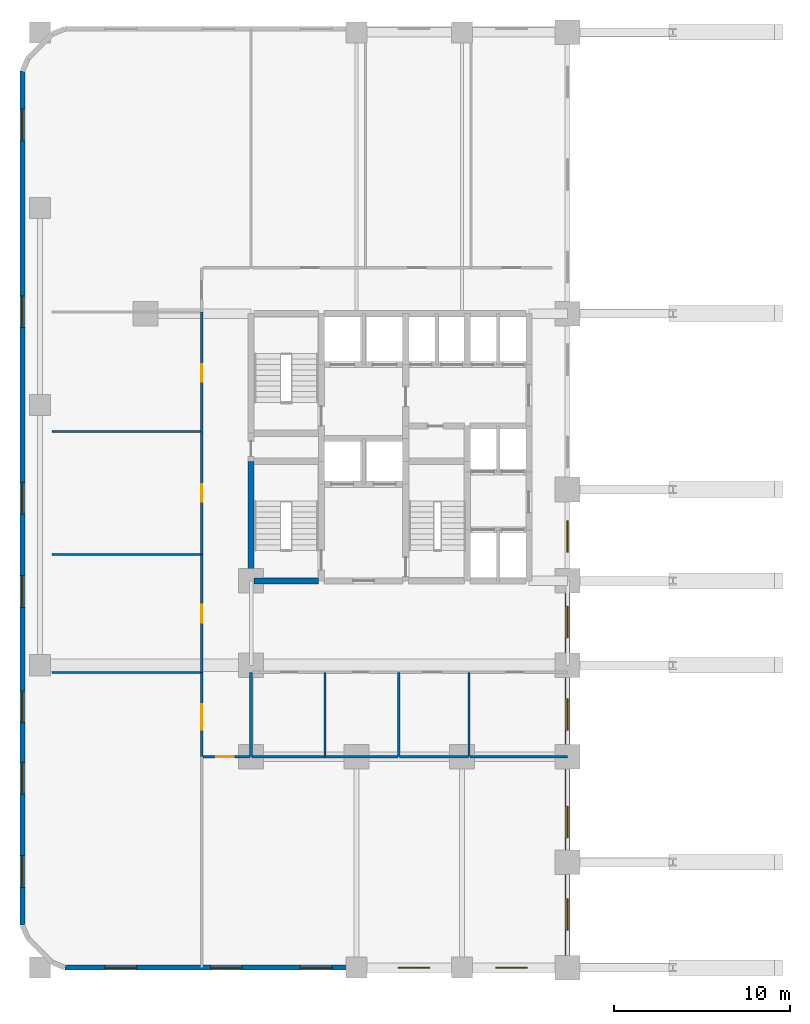
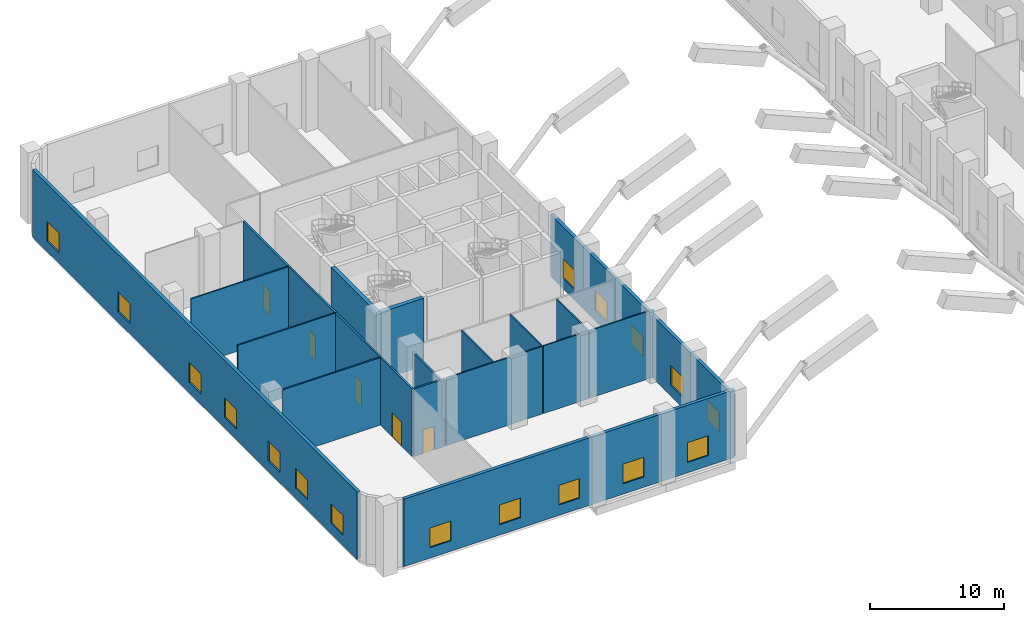
# One storey, part 3 of 10: 19 walls, 17 windows, 5 doors, 22 openings.
"""IFC4 building model written with IfcOpenShell, lengths in metres."""

from ifc_helpers import new_model, si_unit, direction, frame, frame_2d, origin, place, context, subcontext, project, spatial, rectangle, extrude, material, layer, layer_set, type_object, element, fill, save


model = new_model("IFC4")

# Units and contexts
model_context = context("Model", 3, precision=1e-05, world=origin(), true_north=direction((0.0, 1.0)))
body_context = subcontext(model_context, "Body", "Model", "MODEL_VIEW")
ifc_project = project(units=[si_unit("LENGTHUNIT", "METRE"), si_unit("AREAUNIT", "SQUARE_METRE"), si_unit("VOLUMEUNIT", "CUBIC_METRE"), si_unit("PLANEANGLEUNIT", "RADIAN"), si_unit("MASSUNIT", "GRAM", prefix="KILO")], contexts=[model_context])

# Site, building, storey
site_placement = place(None, origin())
site = spatial("IfcSite", under=ifc_project, at=site_placement, CompositionType="ELEMENT")
building_placement = place(site_placement, origin())
building = spatial("IfcBuilding", under=site, at=building_placement, Name="Keshet Zoharim Tower", CompositionType="ELEMENT")
storey_placement = place(building_placement, frame((0.0, 0.0, 6.5)))
storey = spatial("IfcBuildingStorey", under=building, at=storey_placement, Name="L01", CompositionType="ELEMENT", Elevation=6.5)

# Wall, opening, door
ifc_material_1 = material(Name="Gypsum Plasterboard", Category="gypsum")
ifc_layer_1 = layer(ifc_material_1, 0.14990234375)
ifc_layer_set_1 = layer_set([ifc_layer_1], Name="Gypsum Plasterboard")
wall_type_1 = type_object("IfcWallType", Name="WL-CLIN-150", PredefinedType="STANDARD", material=ifc_layer_set_1)
wall_1_placement = place(storey_placement, frame((12.199951171875, 12.699951171875, 0.0), z_axis=(0.0, 0.0, 1.0), x_axis=(0.0, 1.0, 0.0)))
wall_1 = element("IfcWall", 1, at=wall_1_placement, inside=storey, type_object=wall_type_1, Name="L01 Interior Wall 002", PredefinedType="STANDARD", context=body_context, shape_type="SweptSolid", body=[
    extrude(rectangle(XDim=4.800048828125, YDim=0.14990234375, at=frame_2d((2.39990234375, 0.0))), origin(), (0.0, 0.0, 1.0), 6.169921875),
])
opening_1_placement = place(wall_1_placement, frame((1.529052734375, 0.0, 0.0)))
opening_1 = element("IfcOpeningElement", 2, at=opening_1_placement, cuts=wall_1, Name="Opening D-F314", PredefinedType="OPENING", context=body_context, shape_type="SweptSolid", body=[
    extrude(rectangle(XDim=1.449951171875, YDim=2.199951171875, at=frame_2d((0.72509765625, 1.10009765625))), frame((0.0, 0.0849609375, 0.0), z_axis=(0.0, -1.0, 0.0), x_axis=(1.0, 0.0, 0.0)), (0.0, 0.0, 1.0), 0.169921875),
])
ifc_material_2 = material(Name="Hardwood Timber", Category="wood")
door_type_1 = type_object("IfcDoorType", Name="DR-FD30-145", OperationType="DOUBLE_DOOR_SINGLE_SWING", PredefinedType="DOOR", material=ifc_material_2)
door_1_placement = place(opening_1_placement, origin())
door_1 = element("IfcDoor", 3, at=door_1_placement, inside=storey, type_object=door_type_1, Name="L01 Clinic Patient Waiting Lounge Door", OperationType="DOUBLE_DOOR_SINGLE_SWING", OverallHeight=2.199951171875, OverallWidth=1.449951171875, PredefinedType="DOOR", context=body_context, shape_type="SweptSolid", body=[
    extrude(rectangle(XDim=1.449951171875, YDim=2.199951171875, at=frame_2d((0.72509765625, 1.10009765625))), frame((0.0, 0.02490234375, 0.0), z_axis=(0.0, -1.0, 0.0), x_axis=(1.0, 0.0, 0.0)), (0.0, 0.0, 1.0), 0.050048828125),
])
fill(opening_1, door_1)

wall_2_placement = place(storey_placement, frame((12.199951171875, 17.5, 0.0), z_axis=(0.0, 0.0, 1.0), x_axis=(0.0, 1.0, 0.0)))
wall_2 = element("IfcWall", 4, at=wall_2_placement, inside=storey, type_object=wall_type_1, Name="L01 Interior Wall 003", PredefinedType="STANDARD", context=body_context, shape_type="SweptSolid", body=[
    extrude(rectangle(XDim=6.699951171875, YDim=0.14990234375, at=frame_2d((3.35009765625, 0.0))), origin(), (0.0, 0.0, 1.0), 6.169921875),
])
opening_2_placement = place(wall_2_placement, frame((2.8291015625, 0.0, 0.0)))
opening_2 = element("IfcOpeningElement", 5, at=opening_2_placement, cuts=wall_2, Name="Opening D-F310", PredefinedType="OPENING", context=body_context, shape_type="SweptSolid", body=[
    extrude(rectangle(XDim=1.0, YDim=2.14990234375, at=frame_2d((0.5, 1.074951171875))), frame((0.0, 0.0849609375, 0.0), z_axis=(0.0, -1.0, 0.0), x_axis=(1.0, 0.0, 0.0)), (0.0, 0.0, 1.0), 0.169921875),
])
door_type_2 = type_object("IfcDoorType", Name="DR-FD30-100", OperationType="NOTDEFINED", PredefinedType="DOOR", material=ifc_material_2)
door_2_placement = place(opening_2_placement, origin())
door_2 = element("IfcDoor", 6, at=door_2_placement, inside=storey, type_object=door_type_2, Name="L01 Outpatient Consultation Room 1 Door", OperationType="SINGLE_SWING_RIGHT", OverallHeight=2.14990234375, OverallWidth=1.0, PredefinedType="DOOR", context=body_context, shape_type="SweptSolid", body=[
    extrude(rectangle(XDim=1.0, YDim=2.14990234375, at=frame_2d((0.5, 1.074951171875))), frame((0.0, 0.02490234375, 0.0), z_axis=(0.0, -1.0, 0.0), x_axis=(1.0, 0.0, 0.0)), (0.0, 0.0, 1.0), 0.050048828125),
])
fill(opening_2, door_2)

# Wall, openings, doors
wall_3_placement = place(storey_placement, frame((12.199951171875, 24.199951171875, 0.0), z_axis=(0.0, 0.0, 1.0), x_axis=(0.0, 1.0, 0.0)))
wall_3 = element("IfcWall", 7, at=wall_3_placement, inside=storey, type_object=wall_type_1, Name="L01 Interior Wall 004", PredefinedType="STANDARD", context=body_context, shape_type="SweptSolid", body=[
    extrude(rectangle(XDim=13.800048828125, YDim=0.14990234375, at=frame_2d((6.89990234375, 0.0))), origin(), (0.0, 0.0, 1.0), 6.169921875),
])
opening_3_placement = place(wall_3_placement, frame((3.0, 0.0, 0.0)))
opening_3 = element("IfcOpeningElement", 8, at=opening_3_placement, cuts=wall_3, Name="Opening D-F310", PredefinedType="OPENING", context=body_context, shape_type="SweptSolid", body=[
    extrude(rectangle(XDim=1.0, YDim=2.14990234375, at=frame_2d((0.5, 1.074951171875))), frame((0.0, 0.0849609375, 0.0), z_axis=(0.0, -1.0, 0.0), x_axis=(1.0, 0.0, 0.0)), (0.0, 0.0, 1.0), 0.169921875),
])
opening_4_placement = place(wall_3_placement, frame((9.830078125, 0.0, 0.0)))
opening_4 = element("IfcOpeningElement", 9, at=opening_4_placement, cuts=wall_3, Name="Opening D-F310", PredefinedType="OPENING", context=body_context, shape_type="SweptSolid", body=[
    extrude(rectangle(XDim=1.0, YDim=2.14990234375, at=frame_2d((0.5, 1.074951171875))), frame((0.0, 0.0849609375, 0.0), z_axis=(0.0, -1.0, 0.0), x_axis=(1.0, 0.0, 0.0)), (0.0, 0.0, 1.0), 0.169921875),
])
door_3_placement = place(opening_3_placement, origin())
door_3 = element("IfcDoor", 10, at=door_3_placement, inside=storey, type_object=door_type_2, Name="L01 Clinical Examination Room 1 Door", OperationType="SINGLE_SWING_LEFT", OverallHeight=2.14990234375, OverallWidth=1.0, PredefinedType="DOOR", context=body_context, shape_type="SweptSolid", body=[
    extrude(rectangle(XDim=1.0, YDim=2.14990234375, at=frame_2d((0.5, 1.074951171875))), frame((0.0, 0.02490234375, 0.0), z_axis=(0.0, -1.0, 0.0), x_axis=(1.0, 0.0, 0.0)), (0.0, 0.0, 1.0), 0.050048828125),
])
fill(opening_3, door_3)
door_4_placement = place(opening_4_placement, origin())
door_4 = element("IfcDoor", 11, at=door_4_placement, inside=storey, type_object=door_type_2, Name="L01 Medical Treatment Room 1 Door", OperationType="SINGLE_SWING_RIGHT", OverallHeight=2.14990234375, OverallWidth=1.0, PredefinedType="DOOR", context=body_context, shape_type="SweptSolid", body=[
    extrude(rectangle(XDim=1.0, YDim=2.14990234375, at=frame_2d((0.5, 1.074951171875))), frame((0.0, 0.02490234375, 0.0), z_axis=(0.0, -1.0, 0.0), x_axis=(1.0, 0.0, 0.0)), (0.0, 0.0, 1.0), 0.050048828125),
])
fill(opening_4, door_4)

# Wall
wall_4_placement = place(storey_placement, frame((15.0, 12.699951171875, 0.0), z_axis=(0.0, 0.0, 1.0), x_axis=(0.0, 1.0, 0.0)))
element("IfcWall", 12, at=wall_4_placement, inside=storey, type_object=wall_type_1, Name="L01 Interior Wall 006", PredefinedType="STANDARD", context=body_context, shape_type="SweptSolid", body=[
    extrude(rectangle(XDim=4.800048828125, YDim=0.14990234375, at=frame_2d((2.39990234375, 0.0))), origin(), (0.0, 0.0, 1.0), 5.669921875),
])

# Wall, opening, door
wall_5_placement = place(storey_placement, frame((12.260009765625, 12.699951171875, 0.0), z_axis=(0.0, 0.0, 1.0), x_axis=(1.0, 0.0, 0.0)))
wall_5 = element("IfcWall", 13, at=wall_5_placement, inside=storey, type_object=wall_type_1, Name="L01 Interior Wall 047", PredefinedType="STANDARD", context=body_context, shape_type="SweptSolid", body=[
    extrude(rectangle(XDim=2.679931640625, YDim=0.14990234375, at=frame_2d((1.33984375, 0.0))), origin(), (0.0, 0.0, 1.0), 6.169921875),
])
opening_5_placement = place(wall_5_placement, frame((0.76806640625, 0.0, 0.0)))
opening_5 = element("IfcOpeningElement", 14, at=opening_5_placement, cuts=wall_5, Name="Opening D-F310", PredefinedType="OPENING", context=body_context, shape_type="SweptSolid", body=[
    extrude(rectangle(XDim=1.0, YDim=2.14990234375, at=frame_2d((0.5, 1.074951171875))), frame((0.0, 0.0849609375, 0.0), z_axis=(0.0, -1.0, 0.0), x_axis=(1.0, 0.0, 0.0)), (0.0, 0.0, 1.0), 0.169921875),
])
door_5_placement = place(opening_5_placement, origin())
door_5 = element("IfcDoor", 15, at=door_5_placement, inside=storey, type_object=door_type_2, Name="L01 Clinic Records and Admin Office Door", OperationType="SINGLE_SWING_LEFT", OverallHeight=2.14990234375, OverallWidth=1.0, PredefinedType="DOOR", context=body_context, shape_type="SweptSolid", body=[
    extrude(rectangle(XDim=1.0, YDim=2.14990234375, at=frame_2d((0.5, 1.074951171875))), frame((0.0, 0.02490234375, 0.0), z_axis=(0.0, -1.0, 0.0), x_axis=(1.0, 0.0, 0.0)), (0.0, 0.0, 1.0), 0.050048828125),
])
fill(opening_5, door_5)

# Walls
ifc_material_3 = material(Name="Concrete C60/75", Category="concrete")
ifc_layer_2 = layer(ifc_material_3, 0.35009765625)
ifc_layer_set_2 = layer_set([ifc_layer_2], Name="Concrete C60/75")
wall_type_2 = type_object("IfcWallType", Name="WL-CORE-350", PredefinedType="SHEAR", material=ifc_layer_set_2)
wall_6_placement = place(storey_placement, frame((15.0, 22.699951171875, 0.0), z_axis=(0.0, 0.0, 1.0), x_axis=(0.0, 1.0, 0.0)))
element("IfcWall", 16, at=wall_6_placement, inside=storey, type_object=wall_type_2, Name="L01 Core Shear Wall 007", PredefinedType="SHEAR", context=body_context, shape_type="SweptSolid", body=[
    extrude(rectangle(XDim=6.800048828125, YDim=0.35009765625, at=frame_2d((3.39990234375, 0.0))), origin(), (0.0, 0.0, 1.0), 6.169921875),
])
wall_7_placement = place(storey_placement, frame((15.159912109375, 22.699951171875, 0.0), z_axis=(0.0, 0.0, 1.0), x_axis=(1.0, 0.0, 0.0)))
element("IfcWall", 17, at=wall_7_placement, inside=storey, type_object=wall_type_2, Name="L01 Core Shear Wall 056", PredefinedType="SHEAR", context=body_context, shape_type="SweptSolid", body=[
    extrude(rectangle(XDim=3.68017578125, YDim=0.35009765625, at=frame_2d((1.840087890625, 0.0))), origin(), (0.0, 0.0, 1.0), 6.169921875),
])

# Wall, openings, windows
ifc_material_4 = material(Name="Concrete C50/60 precast", Category="concrete")
ifc_layer_3 = layer(ifc_material_4, 0.280029296875)
ifc_layer_set_3 = layer_set([ifc_layer_3], Name="Concrete C50/60 precast")
wall_type_3 = type_object("IfcWallType", Name="WL-EXT-280", PredefinedType="STANDARD", material=ifc_layer_set_3)
wall_8_placement = place(storey_placement, frame((2.0, 3.114013671875, 0.0), z_axis=(0.0, 0.0, 1.0), x_axis=(0.0, 1.0, 0.0)))
wall_8 = element("IfcWall", 18, at=wall_8_placement, inside=storey, type_object=wall_type_3, Name="L01 Podium Precast Facade Wall 01", PredefinedType="STANDARD", context=body_context, shape_type="SweptSolid", body=[
    extrude(rectangle(XDim=48.572021484375, YDim=0.280029296875, at=frame_2d((24.2861328125, 0.0))), origin(), (0.0, 0.0, 1.0), 6.169921875),
])
opening_6_placement = place(wall_8_placement, frame((2.154052734375, 0.0, 0.949951171875)))
opening_6 = element("IfcOpeningElement", 19, at=opening_6_placement, cuts=wall_8, Name="Opening W-180", PredefinedType="OPENING", context=body_context, shape_type="SweptSolid", body=[
    extrude(rectangle(XDim=1.800048828125, YDim=1.800048828125, at=frame_2d((0.89990234375, 0.89990234375))), frame((0.0, 0.14990234375, 0.0), z_axis=(0.0, -1.0, 0.0), x_axis=(1.0, 0.0, 0.0)), (0.0, 0.0, 1.0), 0.300048828125),
])
opening_7_placement = place(wall_8_placement, frame((7.4619140625, 0.0, 0.949951171875)))
opening_7 = element("IfcOpeningElement", 20, at=opening_7_placement, cuts=wall_8, Name="Opening W-180", PredefinedType="OPENING", context=body_context, shape_type="SweptSolid", body=[
    extrude(rectangle(XDim=1.800048828125, YDim=1.800048828125, at=frame_2d((0.89990234375, 0.89990234375))), frame((0.0, 0.14990234375, 0.0), z_axis=(0.0, -1.0, 0.0), x_axis=(1.0, 0.0, 0.0)), (0.0, 0.0, 1.0), 0.300048828125),
])
opening_8_placement = place(wall_8_placement, frame((11.52001953125, 0.0, 0.949951171875)))
opening_8 = element("IfcOpeningElement", 21, at=opening_8_placement, cuts=wall_8, Name="Opening W-180", PredefinedType="OPENING", context=body_context, shape_type="SweptSolid", body=[
    extrude(rectangle(XDim=1.800048828125, YDim=1.800048828125, at=frame_2d((0.89990234375, 0.89990234375))), frame((0.0, 0.14990234375, 0.0), z_axis=(0.0, -1.0, 0.0), x_axis=(1.0, 0.0, 0.0)), (0.0, 0.0, 1.0), 0.300048828125),
])
opening_9_placement = place(wall_8_placement, frame((18.077880859375, 0.0, 0.949951171875)))
opening_9 = element("IfcOpeningElement", 22, at=opening_9_placement, cuts=wall_8, Name="Opening W-180", PredefinedType="OPENING", context=body_context, shape_type="SweptSolid", body=[
    extrude(rectangle(XDim=1.800048828125, YDim=1.800048828125, at=frame_2d((0.89990234375, 0.89990234375))), frame((0.0, 0.14990234375, 0.0), z_axis=(0.0, -1.0, 0.0), x_axis=(1.0, 0.0, 0.0)), (0.0, 0.0, 1.0), 0.300048828125),
])
opening_10_placement = place(wall_8_placement, frame((23.385986328125, 0.0, 0.949951171875)))
opening_10 = element("IfcOpeningElement", 23, at=opening_10_placement, cuts=wall_8, Name="Opening W-180", PredefinedType="OPENING", context=body_context, shape_type="SweptSolid", body=[
    extrude(rectangle(XDim=1.800048828125, YDim=1.800048828125, at=frame_2d((0.89990234375, 0.89990234375))), frame((0.0, 0.14990234375, 0.0), z_axis=(0.0, -1.0, 0.0), x_axis=(1.0, 0.0, 0.0)), (0.0, 0.0, 1.0), 0.300048828125),
])
opening_11_placement = place(wall_8_placement, frame((34.001953125, 0.0, 0.949951171875)))
opening_11 = element("IfcOpeningElement", 24, at=opening_11_placement, cuts=wall_8, Name="Opening W-180", PredefinedType="OPENING", context=body_context, shape_type="SweptSolid", body=[
    extrude(rectangle(XDim=1.800048828125, YDim=1.800048828125, at=frame_2d((0.89990234375, 0.89990234375))), frame((0.0, 0.14990234375, 0.0), z_axis=(0.0, -1.0, 0.0), x_axis=(1.0, 0.0, 0.0)), (0.0, 0.0, 1.0), 0.300048828125),
])
opening_12_placement = place(wall_8_placement, frame((44.617919921875, 0.0, 0.949951171875)))
opening_12 = element("IfcOpeningElement", 25, at=opening_12_placement, cuts=wall_8, Name="Opening W-180", PredefinedType="OPENING", context=body_context, shape_type="SweptSolid", body=[
    extrude(rectangle(XDim=1.800048828125, YDim=1.800048828125, at=frame_2d((0.89990234375, 0.89990234375))), frame((0.0, 0.14990234375, 0.0), z_axis=(0.0, -1.0, 0.0), x_axis=(1.0, 0.0, 0.0)), (0.0, 0.0, 1.0), 0.300048828125),
])
ifc_material_5 = material(Name="Insulated Low-E Clear Glass", Category="glass")
window_type = type_object("IfcWindowType", Name="WN-CLN-180", PartitioningType="DOUBLE_PANEL_VERTICAL", PredefinedType="WINDOW", material=ifc_material_5)
window_1_placement = place(opening_6_placement, origin())
window_1 = element("IfcWindow", 26, at=window_1_placement, inside=storey, type_object=window_type, Name="L01 Clinic Facade Window 01", OverallHeight=1.800048828125, OverallWidth=1.800048828125, PartitioningType="DOUBLE_PANEL_VERTICAL", PredefinedType="WINDOW", context=body_context, shape_type="SweptSolid", body=[
    extrude(rectangle(XDim=1.800048828125, YDim=1.800048828125, at=frame_2d((0.89990234375, 0.89990234375))), frame((0.0, 0.030029296875, 0.0), z_axis=(0.0, -1.0, 0.0), x_axis=(1.0, 0.0, 0.0)), (0.0, 0.0, 1.0), 0.06005859375),
])
fill(opening_6, window_1)
window_2_placement = place(opening_7_placement, origin())
window_2 = element("IfcWindow", 27, at=window_2_placement, inside=storey, type_object=window_type, Name="L01 Clinic Facade Window 02", OverallHeight=1.800048828125, OverallWidth=1.800048828125, PartitioningType="DOUBLE_PANEL_VERTICAL", PredefinedType="WINDOW", context=body_context, shape_type="SweptSolid", body=[
    extrude(rectangle(XDim=1.800048828125, YDim=1.800048828125, at=frame_2d((0.89990234375, 0.89990234375))), frame((0.0, 0.030029296875, 0.0), z_axis=(0.0, -1.0, 0.0), x_axis=(1.0, 0.0, 0.0)), (0.0, 0.0, 1.0), 0.06005859375),
])
fill(opening_7, window_2)
window_3_placement = place(opening_8_placement, origin())
window_3 = element("IfcWindow", 28, at=window_3_placement, inside=storey, type_object=window_type, Name="L01 Clinic Facade Window 03", OverallHeight=1.800048828125, OverallWidth=1.800048828125, PartitioningType="DOUBLE_PANEL_VERTICAL", PredefinedType="WINDOW", context=body_context, shape_type="SweptSolid", body=[
    extrude(rectangle(XDim=1.800048828125, YDim=1.800048828125, at=frame_2d((0.89990234375, 0.89990234375))), frame((0.0, 0.030029296875, 0.0), z_axis=(0.0, -1.0, 0.0), x_axis=(1.0, 0.0, 0.0)), (0.0, 0.0, 1.0), 0.06005859375),
])
fill(opening_8, window_3)
window_4_placement = place(opening_9_placement, origin())
window_4 = element("IfcWindow", 29, at=window_4_placement, inside=storey, type_object=window_type, Name="L01 Clinic Facade Window 04", OverallHeight=1.800048828125, OverallWidth=1.800048828125, PartitioningType="DOUBLE_PANEL_VERTICAL", PredefinedType="WINDOW", context=body_context, shape_type="SweptSolid", body=[
    extrude(rectangle(XDim=1.800048828125, YDim=1.800048828125, at=frame_2d((0.89990234375, 0.89990234375))), frame((0.0, 0.030029296875, 0.0), z_axis=(0.0, -1.0, 0.0), x_axis=(1.0, 0.0, 0.0)), (0.0, 0.0, 1.0), 0.06005859375),
])
fill(opening_9, window_4)
window_5_placement = place(opening_10_placement, origin())
window_5 = element("IfcWindow", 30, at=window_5_placement, inside=storey, type_object=window_type, Name="L01 Clinic Facade Window 05", OverallHeight=1.800048828125, OverallWidth=1.800048828125, PartitioningType="DOUBLE_PANEL_VERTICAL", PredefinedType="WINDOW", context=body_context, shape_type="SweptSolid", body=[
    extrude(rectangle(XDim=1.800048828125, YDim=1.800048828125, at=frame_2d((0.89990234375, 0.89990234375))), frame((0.0, 0.030029296875, 0.0), z_axis=(0.0, -1.0, 0.0), x_axis=(1.0, 0.0, 0.0)), (0.0, 0.0, 1.0), 0.06005859375),
])
fill(opening_10, window_5)
window_6_placement = place(opening_11_placement, origin())
window_6 = element("IfcWindow", 31, at=window_6_placement, inside=storey, type_object=window_type, Name="L01 Clinic Facade Window 06", OverallHeight=1.800048828125, OverallWidth=1.800048828125, PartitioningType="DOUBLE_PANEL_VERTICAL", PredefinedType="WINDOW", context=body_context, shape_type="SweptSolid", body=[
    extrude(rectangle(XDim=1.800048828125, YDim=1.800048828125, at=frame_2d((0.89990234375, 0.89990234375))), frame((0.0, 0.030029296875, 0.0), z_axis=(0.0, -1.0, 0.0), x_axis=(1.0, 0.0, 0.0)), (0.0, 0.0, 1.0), 0.06005859375),
])
fill(opening_11, window_6)
window_7_placement = place(opening_12_placement, origin())
window_7 = element("IfcWindow", 32, at=window_7_placement, inside=storey, type_object=window_type, Name="L01 Clinic Facade Window 07", OverallHeight=1.800048828125, OverallWidth=1.800048828125, PartitioningType="DOUBLE_PANEL_VERTICAL", PredefinedType="WINDOW", context=body_context, shape_type="SweptSolid", body=[
    extrude(rectangle(XDim=1.800048828125, YDim=1.800048828125, at=frame_2d((0.89990234375, 0.89990234375))), frame((0.0, 0.030029296875, 0.0), z_axis=(0.0, -1.0, 0.0), x_axis=(1.0, 0.0, 0.0)), (0.0, 0.0, 1.0), 0.06005859375),
])
fill(opening_12, window_7)

wall_9_placement = place(storey_placement, frame((33.0, 0.699951171875, 0.0), z_axis=(0.0, 0.0, 1.0), x_axis=(-1.0, 0.0, 0.0)))
wall_9 = element("IfcWall", 33, at=wall_9_placement, inside=storey, type_object=wall_type_3, Name="L01 Podium Precast Facade Wall 07", PredefinedType="STANDARD", context=body_context, shape_type="SweptSolid", body=[
    extrude(rectangle(XDim=28.5859375, YDim=0.280029296875, at=frame_2d((14.29296875, 0.0))), origin(), (0.0, 0.0, 1.0), 6.169921875),
])
opening_13_placement = place(wall_9_placement, frame((2.279052734375, 0.0, 0.949951171875)))
opening_13 = element("IfcOpeningElement", 34, at=opening_13_placement, cuts=wall_9, Name="Opening W-180", PredefinedType="OPENING", context=body_context, shape_type="SweptSolid", body=[
    extrude(rectangle(XDim=1.800048828125, YDim=1.800048828125, at=frame_2d((0.89990234375, 0.89990234375))), frame((0.0, 0.14990234375, 0.0), z_axis=(0.0, -1.0, 0.0), x_axis=(1.0, 0.0, 0.0)), (0.0, 0.0, 1.0), 0.300048828125),
])
opening_14_placement = place(wall_9_placement, frame((7.8359375, 0.0, 0.949951171875)))
opening_14 = element("IfcOpeningElement", 35, at=opening_14_placement, cuts=wall_9, Name="Opening W-180", PredefinedType="OPENING", context=body_context, shape_type="SweptSolid", body=[
    extrude(rectangle(XDim=1.800048828125, YDim=1.800048828125, at=frame_2d((0.89990234375, 0.89990234375))), frame((0.0, 0.14990234375, 0.0), z_axis=(0.0, -1.0, 0.0), x_axis=(1.0, 0.0, 0.0)), (0.0, 0.0, 1.0), 0.300048828125),
])
opening_15_placement = place(wall_9_placement, frame((13.39306640625, 0.0, 0.949951171875)))
opening_15 = element("IfcOpeningElement", 36, at=opening_15_placement, cuts=wall_9, Name="Opening W-180", PredefinedType="OPENING", context=body_context, shape_type="SweptSolid", body=[
    extrude(rectangle(XDim=1.800048828125, YDim=1.800048828125, at=frame_2d((0.89990234375, 0.89990234375))), frame((0.0, 0.14990234375, 0.0), z_axis=(0.0, -1.0, 0.0), x_axis=(1.0, 0.0, 0.0)), (0.0, 0.0, 1.0), 0.300048828125),
])
opening_16_placement = place(wall_9_placement, frame((18.5, 0.0, 0.949951171875)))
opening_16 = element("IfcOpeningElement", 37, at=opening_16_placement, cuts=wall_9, Name="Opening W-180", PredefinedType="OPENING", context=body_context, shape_type="SweptSolid", body=[
    extrude(rectangle(XDim=1.800048828125, YDim=1.800048828125, at=frame_2d((0.89990234375, 0.89990234375))), frame((0.0, 0.14990234375, 0.0), z_axis=(0.0, -1.0, 0.0), x_axis=(1.0, 0.0, 0.0)), (0.0, 0.0, 1.0), 0.300048828125),
])
opening_17_placement = place(wall_9_placement, frame((24.507080078125, 0.0, 0.949951171875)))
opening_17 = element("IfcOpeningElement", 38, at=opening_17_placement, cuts=wall_9, Name="Opening W-180", PredefinedType="OPENING", context=body_context, shape_type="SweptSolid", body=[
    extrude(rectangle(XDim=1.800048828125, YDim=1.800048828125, at=frame_2d((0.89990234375, 0.89990234375))), frame((0.0, 0.14990234375, 0.0), z_axis=(0.0, -1.0, 0.0), x_axis=(1.0, 0.0, 0.0)), (0.0, 0.0, 1.0), 0.300048828125),
])
window_8_placement = place(opening_13_placement, origin())
window_8 = element("IfcWindow", 39, at=window_8_placement, inside=storey, type_object=window_type, Name="L01 Clinic Facade Window 23", OverallHeight=1.800048828125, OverallWidth=1.800048828125, PartitioningType="DOUBLE_PANEL_VERTICAL", PredefinedType="WINDOW", context=body_context, shape_type="SweptSolid", body=[
    extrude(rectangle(XDim=1.800048828125, YDim=1.800048828125, at=frame_2d((0.89990234375, 0.89990234375))), frame((0.0, 0.030029296875, 0.0), z_axis=(0.0, -1.0, 0.0), x_axis=(1.0, 0.0, 0.0)), (0.0, 0.0, 1.0), 0.06005859375),
])
fill(opening_13, window_8)
window_9_placement = place(opening_14_placement, origin())
window_9 = element("IfcWindow", 40, at=window_9_placement, inside=storey, type_object=window_type, Name="L01 Clinic Facade Window 24", OverallHeight=1.800048828125, OverallWidth=1.800048828125, PartitioningType="DOUBLE_PANEL_VERTICAL", PredefinedType="WINDOW", context=body_context, shape_type="SweptSolid", body=[
    extrude(rectangle(XDim=1.800048828125, YDim=1.800048828125, at=frame_2d((0.89990234375, 0.89990234375))), frame((0.0, 0.030029296875, 0.0), z_axis=(0.0, -1.0, 0.0), x_axis=(1.0, 0.0, 0.0)), (0.0, 0.0, 1.0), 0.06005859375),
])
fill(opening_14, window_9)
window_10_placement = place(opening_15_placement, origin())
window_10 = element("IfcWindow", 41, at=window_10_placement, inside=storey, type_object=window_type, Name="L01 Clinic Facade Window 25", OverallHeight=1.800048828125, OverallWidth=1.800048828125, PartitioningType="DOUBLE_PANEL_VERTICAL", PredefinedType="WINDOW", context=body_context, shape_type="SweptSolid", body=[
    extrude(rectangle(XDim=1.800048828125, YDim=1.800048828125, at=frame_2d((0.89990234375, 0.89990234375))), frame((0.0, 0.030029296875, 0.0), z_axis=(0.0, -1.0, 0.0), x_axis=(1.0, 0.0, 0.0)), (0.0, 0.0, 1.0), 0.06005859375),
])
fill(opening_15, window_10)
window_11_placement = place(opening_16_placement, origin())
window_11 = element("IfcWindow", 42, at=window_11_placement, inside=storey, type_object=window_type, Name="L01 Clinic Facade Window 26", OverallHeight=1.800048828125, OverallWidth=1.800048828125, PartitioningType="DOUBLE_PANEL_VERTICAL", PredefinedType="WINDOW", context=body_context, shape_type="SweptSolid", body=[
    extrude(rectangle(XDim=1.800048828125, YDim=1.800048828125, at=frame_2d((0.89990234375, 0.89990234375))), frame((0.0, 0.030029296875, 0.0), z_axis=(0.0, -1.0, 0.0), x_axis=(1.0, 0.0, 0.0)), (0.0, 0.0, 1.0), 0.06005859375),
])
fill(opening_16, window_11)
window_12_placement = place(opening_17_placement, origin())
window_12 = element("IfcWindow", 43, at=window_12_placement, inside=storey, type_object=window_type, Name="L01 Clinic Facade Window 27", OverallHeight=1.800048828125, OverallWidth=1.800048828125, PartitioningType="DOUBLE_PANEL_VERTICAL", PredefinedType="WINDOW", context=body_context, shape_type="SweptSolid", body=[
    extrude(rectangle(XDim=1.800048828125, YDim=1.800048828125, at=frame_2d((0.89990234375, 0.89990234375))), frame((0.0, 0.030029296875, 0.0), z_axis=(0.0, -1.0, 0.0), x_axis=(1.0, 0.0, 0.0)), (0.0, 0.0, 1.0), 0.06005859375),
])
fill(opening_17, window_12)

wall_10_placement = place(storey_placement, frame((33.0, 27.89990234375, 0.0), z_axis=(0.0, 0.0, 1.0), x_axis=(0.0, -1.0, 0.0)))
wall_10 = element("IfcWall", 44, at=wall_10_placement, inside=storey, type_object=wall_type_3, Name="L01 Podium Precast Facade Wall 06 Part 2", PredefinedType="STANDARD", context=body_context, shape_type="SweptSolid", body=[
    extrude(rectangle(XDim=27.199951171875, YDim=0.280029296875, at=frame_2d((13.60009765625, 0.0))), origin(), (0.0, 0.0, 1.0), 5.669921875),
])
opening_18_placement = place(wall_10_placement, frame((1.780029296875, 0.0, 0.949951171875)))
opening_18 = element("IfcOpeningElement", 45, at=opening_18_placement, cuts=wall_10, Name="Opening W-180", PredefinedType="OPENING", context=body_context, shape_type="SweptSolid", body=[
    extrude(rectangle(XDim=1.800048828125, YDim=1.800048828125, at=frame_2d((0.89990234375, 0.89990234375))), frame((0.0, 0.14990234375, 0.0), z_axis=(0.0, -1.0, 0.0), x_axis=(1.0, 0.0, 0.0)), (0.0, 0.0, 1.0), 0.300048828125),
])
opening_19_placement = place(wall_10_placement, frame((6.639892578125, 0.0, 0.949951171875)))
opening_19 = element("IfcOpeningElement", 46, at=opening_19_placement, cuts=wall_10, Name="Opening W-180", PredefinedType="OPENING", context=body_context, shape_type="SweptSolid", body=[
    extrude(rectangle(XDim=1.800048828125, YDim=1.800048828125, at=frame_2d((0.89990234375, 0.89990234375))), frame((0.0, 0.14990234375, 0.0), z_axis=(0.0, -1.0, 0.0), x_axis=(1.0, 0.0, 0.0)), (0.0, 0.0, 1.0), 0.300048828125),
])
opening_20_placement = place(wall_10_placement, frame((11.89990234375, 0.0, 0.949951171875)))
opening_20 = element("IfcOpeningElement", 47, at=opening_20_placement, cuts=wall_10, Name="Opening W-180", PredefinedType="OPENING", context=body_context, shape_type="SweptSolid", body=[
    extrude(rectangle(XDim=1.800048828125, YDim=1.800048828125, at=frame_2d((0.89990234375, 0.89990234375))), frame((0.0, 0.14990234375, 0.0), z_axis=(0.0, -1.0, 0.0), x_axis=(1.0, 0.0, 0.0)), (0.0, 0.0, 1.0), 0.300048828125),
])
opening_21_placement = place(wall_10_placement, frame((18.010009765625, 0.0, 0.949951171875)))
opening_21 = element("IfcOpeningElement", 48, at=opening_21_placement, cuts=wall_10, Name="Opening W-180", PredefinedType="OPENING", context=body_context, shape_type="SweptSolid", body=[
    extrude(rectangle(XDim=1.800048828125, YDim=1.800048828125, at=frame_2d((0.89990234375, 0.89990234375))), frame((0.0, 0.14990234375, 0.0), z_axis=(0.0, -1.0, 0.0), x_axis=(1.0, 0.0, 0.0)), (0.0, 0.0, 1.0), 0.300048828125),
])
opening_22_placement = place(wall_10_placement, frame((23.27001953125, 0.0, 0.949951171875)))
opening_22 = element("IfcOpeningElement", 49, at=opening_22_placement, cuts=wall_10, Name="Opening W-180", PredefinedType="OPENING", context=body_context, shape_type="SweptSolid", body=[
    extrude(rectangle(XDim=1.800048828125, YDim=1.800048828125, at=frame_2d((0.89990234375, 0.89990234375))), frame((0.0, 0.14990234375, 0.0), z_axis=(0.0, -1.0, 0.0), x_axis=(1.0, 0.0, 0.0)), (0.0, 0.0, 1.0), 0.300048828125),
])
window_13_placement = place(opening_18_placement, origin())
window_13 = element("IfcWindow", 50, at=window_13_placement, inside=storey, type_object=window_type, Name="L01 Clinic Facade Window 18", OverallHeight=1.800048828125, OverallWidth=1.800048828125, PartitioningType="DOUBLE_PANEL_VERTICAL", PredefinedType="WINDOW", context=body_context, shape_type="SweptSolid", body=[
    extrude(rectangle(XDim=1.800048828125, YDim=1.800048828125, at=frame_2d((0.89990234375, 0.89990234375))), frame((0.0, 0.030029296875, 0.0), z_axis=(0.0, -1.0, 0.0), x_axis=(1.0, 0.0, 0.0)), (0.0, 0.0, 1.0), 0.06005859375),
])
fill(opening_18, window_13)
window_14_placement = place(opening_19_placement, origin())
window_14 = element("IfcWindow", 51, at=window_14_placement, inside=storey, type_object=window_type, Name="L01 Clinic Facade Window 19", OverallHeight=1.800048828125, OverallWidth=1.800048828125, PartitioningType="DOUBLE_PANEL_VERTICAL", PredefinedType="WINDOW", context=body_context, shape_type="SweptSolid", body=[
    extrude(rectangle(XDim=1.800048828125, YDim=1.800048828125, at=frame_2d((0.89990234375, 0.89990234375))), frame((0.0, 0.030029296875, 0.0), z_axis=(0.0, -1.0, 0.0), x_axis=(1.0, 0.0, 0.0)), (0.0, 0.0, 1.0), 0.06005859375),
])
fill(opening_19, window_14)
window_15_placement = place(opening_20_placement, origin())
window_15 = element("IfcWindow", 52, at=window_15_placement, inside=storey, type_object=window_type, Name="L01 Clinic Facade Window 20", OverallHeight=1.800048828125, OverallWidth=1.800048828125, PartitioningType="DOUBLE_PANEL_VERTICAL", PredefinedType="WINDOW", context=body_context, shape_type="SweptSolid", body=[
    extrude(rectangle(XDim=1.800048828125, YDim=1.800048828125, at=frame_2d((0.89990234375, 0.89990234375))), frame((0.0, 0.030029296875, 0.0), z_axis=(0.0, -1.0, 0.0), x_axis=(1.0, 0.0, 0.0)), (0.0, 0.0, 1.0), 0.06005859375),
])
fill(opening_20, window_15)
window_16_placement = place(opening_21_placement, origin())
window_16 = element("IfcWindow", 53, at=window_16_placement, inside=storey, type_object=window_type, Name="L01 Clinic Facade Window 21", OverallHeight=1.800048828125, OverallWidth=1.800048828125, PartitioningType="DOUBLE_PANEL_VERTICAL", PredefinedType="WINDOW", context=body_context, shape_type="SweptSolid", body=[
    extrude(rectangle(XDim=1.800048828125, YDim=1.800048828125, at=frame_2d((0.89990234375, 0.89990234375))), frame((0.0, 0.030029296875, 0.0), z_axis=(0.0, -1.0, 0.0), x_axis=(1.0, 0.0, 0.0)), (0.0, 0.0, 1.0), 0.06005859375),
])
fill(opening_21, window_16)
window_17_placement = place(opening_22_placement, origin())
window_17 = element("IfcWindow", 54, at=window_17_placement, inside=storey, type_object=window_type, Name="L01 Clinic Facade Window 22", OverallHeight=1.800048828125, OverallWidth=1.800048828125, PartitioningType="DOUBLE_PANEL_VERTICAL", PredefinedType="WINDOW", context=body_context, shape_type="SweptSolid", body=[
    extrude(rectangle(XDim=1.800048828125, YDim=1.800048828125, at=frame_2d((0.89990234375, 0.89990234375))), frame((0.0, 0.030029296875, 0.0), z_axis=(0.0, -1.0, 0.0), x_axis=(1.0, 0.0, 0.0)), (0.0, 0.0, 1.0), 0.06005859375),
])
fill(opening_22, window_17)

# Walls
ifc_layer_4 = layer(ifc_material_1, 0.1201171875)
ifc_layer_set_4 = layer_set([ifc_layer_4], Name="Gypsum Plasterboard")
wall_type_4 = type_object("IfcWallType", Name="WL-PART-120", PredefinedType="PARTITIONING", material=ifc_layer_set_4)
wall_11_placement = place(storey_placement, frame((27.445068359375, 12.699951171875, 0.0), z_axis=(0.0, 0.0, 1.0), x_axis=(1.0, 0.0, 0.0)))
element("IfcWall", 55, at=wall_11_placement, inside=storey, type_object=wall_type_4, Name="L01 Interior Wall 050", PredefinedType="PARTITIONING", context=body_context, shape_type="SweptSolid", body=[
    extrude(rectangle(XDim=5.544921875, YDim=0.1201171875, at=frame_2d((2.7724609375, 0.0))), origin(), (0.0, 0.0, 1.0), 6.169921875),
])
for number, where, z_axis, x_axis, name in (
    (56, (3.68994140625, 17.5, 0.0), (0.0, 0.0, 1.0), (1.0, 0.0, 0.0), "L01 Interior Wall 051"),
    (57, (3.68994140625, 24.199951171875, 0.0), (0.0, 0.0, 1.0), (1.0, 0.0, 0.0), "L01 Interior Wall 061"),
    (58, (3.68994140625, 31.199951171875, 0.0), (0.0, 0.0, 1.0), (1.0, 0.0, 0.0), "L01 Interior Wall 071"),
):
    element("IfcWall", number, at=place(storey_placement, frame(where, z_axis=z_axis, x_axis=x_axis)), inside=storey, type_object=wall_type_4, Name=name, PredefinedType="PARTITIONING", context=body_context, shape_type="SweptSolid", body=[
        extrude(rectangle(XDim=8.449951171875, YDim=0.1201171875, at=frame_2d((4.22509765625, 0.0))), origin(), (0.0, 0.0, 1.0), 6.169921875),
    ])
ifc_layer_5 = layer(ifc_material_1, 0.1201171875)
ifc_layer_set_5 = layer_set([ifc_layer_5], Name="Gypsum Plasterboard")
wall_type_5 = type_object("IfcWallType", Name="WL-WET-120", PredefinedType="PARTITIONING", material=ifc_layer_set_5)
for number, where, z_axis, x_axis, name in (
    (59, (19.199951171875, 12.699951171875, 0.0), (0.0, 0.0, 1.0), (0.0, 1.0, 0.0), "L01 Interior Wall 015"),
    (60, (23.39990234375, 12.699951171875, 0.0), (0.0, 0.0, 1.0), (0.0, 1.0, 0.0), "L01 Interior Wall 019"),
    (61, (27.39990234375, 12.699951171875, 0.0), (0.0, 0.0, 1.0), (0.0, 1.0, 0.0), "L01 Interior Wall 032"),
):
    element("IfcWall", number, at=place(storey_placement, frame(where, z_axis=z_axis, x_axis=x_axis)), inside=storey, type_object=wall_type_5, Name=name, PredefinedType="PARTITIONING", context=body_context, shape_type="SweptSolid", body=[
        extrude(rectangle(XDim=4.800048828125, YDim=0.1201171875, at=frame_2d((2.39990234375, 0.0))), origin(), (0.0, 0.0, 1.0), 6.169921875),
    ])
wall_12_placement = place(storey_placement, frame((15.06005859375, 12.699951171875, 0.0), z_axis=(0.0, 0.0, 1.0), x_axis=(1.0, 0.0, 0.0)))
element("IfcWall", 62, at=wall_12_placement, inside=storey, type_object=wall_type_5, Name="L01 Interior Wall 048", PredefinedType="PARTITIONING", context=body_context, shape_type="SweptSolid", body=[
    extrude(rectangle(XDim=8.294921875, YDim=0.1201171875, at=frame_2d((4.1474609375, 0.0))), origin(), (0.0, 0.0, 1.0), 6.169921875),
])
wall_13_placement = place(storey_placement, frame((23.445068359375, 12.699951171875, 0.0), z_axis=(0.0, 0.0, 1.0), x_axis=(1.0, 0.0, 0.0)))
element("IfcWall", 63, at=wall_13_placement, inside=storey, type_object=wall_type_5, Name="L01 Interior Wall 049", PredefinedType="PARTITIONING", context=body_context, shape_type="SweptSolid", body=[
    extrude(rectangle(XDim=3.909912109375, YDim=0.1201171875, at=frame_2d((1.955078125, 0.0))), origin(), (0.0, 0.0, 1.0), 6.169921875),
])

save(model, "model.ifc")
